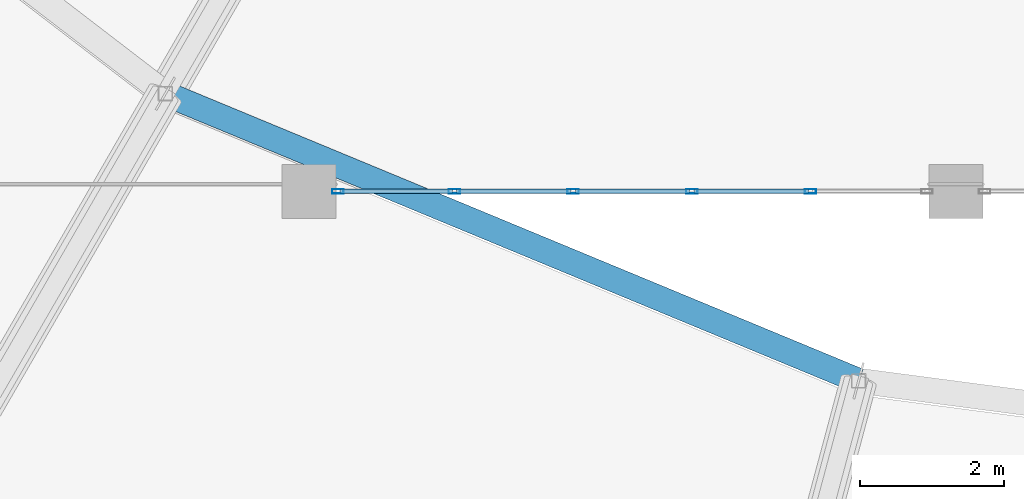
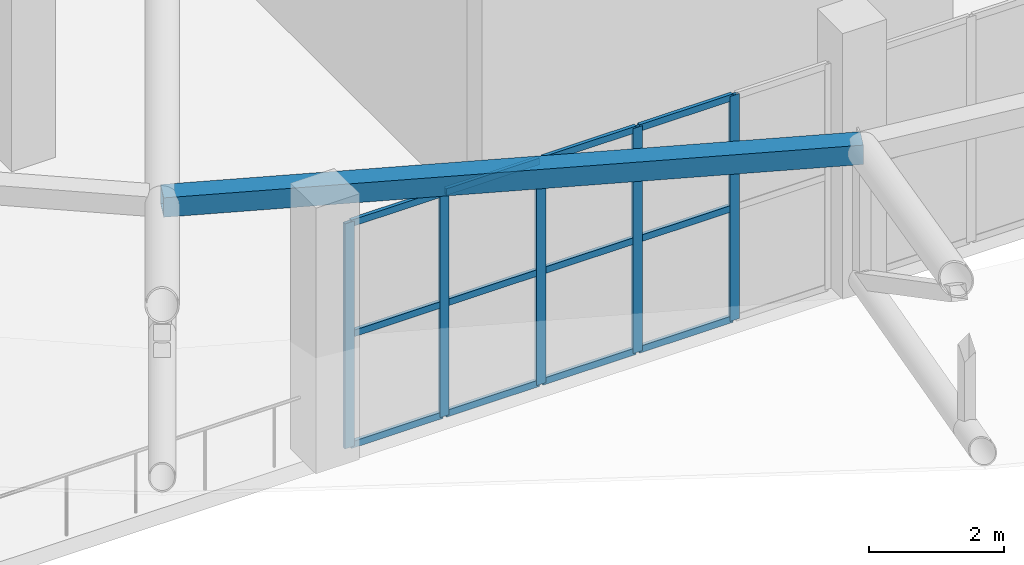
# One storey, part 24 of 167: 18 members, 1 element without a shape of its own.
"""IFC4 building model written with IfcOpenShell, lengths in metres."""

from ifc_helpers import new_model, si_unit, direction, frame, origin, origin_2d, place, context, subcontext, project, spatial, hollow_rectangle, extrude, material, layer, layer_set, material_profile, profile_set, type_object, element, aggregate, save


model = new_model("IFC4")

# Units and contexts
model_context = context("Model", 3, precision=1e-05, world=origin(), true_north=direction((0.0, 1.0)))
body_context = subcontext(model_context, "Body", "Model", "MODEL_VIEW")
ifc_project = project(units=[si_unit("LENGTHUNIT", "METRE"), si_unit("AREAUNIT", "SQUARE_METRE"), si_unit("VOLUMEUNIT", "CUBIC_METRE"), si_unit("PLANEANGLEUNIT", "RADIAN"), si_unit("MASSUNIT", "GRAM", prefix="KILO")], contexts=[model_context])

# Site, building, storey
site_placement = place(None, origin())
site = spatial("IfcSite", under=ifc_project, at=site_placement, CompositionType="ELEMENT")
building_placement = place(site_placement, origin())
building = spatial("IfcBuilding", under=site, at=building_placement, Name="Dornveld Trade and Exhibition Forum", CompositionType="ELEMENT")
storey_placement = place(building_placement, frame((0.0, 0.0, 16.800048828125)))
storey = spatial("IfcBuildingStorey", under=building, at=storey_placement, Name="L03", CompositionType="ELEMENT", Elevation=16.800048828125)

# Curtain wall, members
ifc_material_1 = material(Name="Dark-bronze anodised aluminium and low-E glass", Category="aluminium")
ifc_layer = layer(ifc_material_1, 0.193115234375)
ifc_layer_set = layer_set([ifc_layer], Name="Dark-bronze anodised aluminium and low-E glass")
curtain_wall_type = type_object("IfcCurtainWallType", Name="CW-SYS-17", PredefinedType="USERDEFINED", material=ifc_layer_set)
curtain_wall_placement = place(storey_placement, origin())
curtain_wall = element("IfcCurtainWall", 1, at=curtain_wall_placement, inside=storey, type_object=curtain_wall_type, Name="L03 unitised curtain wall 53", ObjectType="UNITISED_CURTAIN_WALL", PredefinedType="USERDEFINED")
ifc_material_2 = material(Name="Dark-bronze anodised aluminium", Category="aluminium")
ifc_material_profile_1 = material_profile(ifc_material_2, hollow_rectangle(XDim=0.06005859375, YDim=0.159912109375, WallThickness=0.00390625, at=origin_2d()), Name="RHS 160x60x4")
ifc_profile_set_1 = profile_set([ifc_material_profile_1], Name="Dark-bronze anodised aluminium")
member_type_1 = type_object("IfcMemberType", Name="CW-MUL-160", PredefinedType="MULLION", material=ifc_profile_set_1)
member_1_placement = place(storey_placement, frame((99.40087890625, 45.0, -0.004150390625), z_axis=(0.0, 0.0, 1.0), x_axis=(0.0, 1.0, 0.0)))
member_1 = element("IfcMember", 2, at=member_1_placement, type_object=member_type_1, Name="CW-17 mullion 1", PredefinedType="MULLION", context=body_context, shape_type="SweptSolid", body=[
    extrude(hollow_rectangle(XDim=0.06005859375, YDim=0.159912109375, WallThickness=0.00390625, at=origin_2d()), origin(), (0.0, 0.0, 1.0), 4.064208984375),
])
member_2_placement = place(storey_placement, frame((101.022705078125, 45.0, -0.004150390625), z_axis=(0.0, 0.0, 1.0), x_axis=(0.0, 1.0, 0.0)))
member_2 = element("IfcMember", 3, at=member_2_placement, type_object=member_type_1, Name="CW-17 mullion 2", PredefinedType="MULLION", context=body_context, shape_type="SweptSolid", body=[
    extrude(hollow_rectangle(XDim=0.06005859375, YDim=0.159912109375, WallThickness=0.00390625, at=origin_2d()), origin(), (0.0, 0.0, 1.0), 4.064208984375),
])
member_3_placement = place(storey_placement, frame((102.67431640625, 45.0, -0.004150390625), z_axis=(0.0, 0.0, 1.0), x_axis=(0.0, 1.0, 0.0)))
member_3 = element("IfcMember", 4, at=member_3_placement, type_object=member_type_1, Name="CW-17 mullion 3", PredefinedType="MULLION", context=body_context, shape_type="SweptSolid", body=[
    extrude(hollow_rectangle(XDim=0.06005859375, YDim=0.159912109375, WallThickness=0.00390625, at=origin_2d()), origin(), (0.0, 0.0, 1.0), 4.064208984375),
])
member_4_placement = place(storey_placement, frame((104.32568359375, 45.0, -0.004150390625), z_axis=(0.0, 0.0, 1.0), x_axis=(0.0, 1.0, 0.0)))
member_4 = element("IfcMember", 5, at=member_4_placement, type_object=member_type_1, Name="CW-17 mullion 4", PredefinedType="MULLION", context=body_context, shape_type="SweptSolid", body=[
    extrude(hollow_rectangle(XDim=0.06005859375, YDim=0.159912109375, WallThickness=0.00390625, at=origin_2d()), origin(), (0.0, 0.0, 1.0), 4.064208984375),
])
member_5_placement = place(storey_placement, frame((105.977294921875, 45.0, -0.004150390625), z_axis=(0.0, 0.0, 1.0), x_axis=(0.0, 1.0, 0.0)))
member_5 = element("IfcMember", 6, at=member_5_placement, type_object=member_type_1, Name="CW-17 mullion 5", PredefinedType="MULLION", context=body_context, shape_type="SweptSolid", body=[
    extrude(hollow_rectangle(XDim=0.06005859375, YDim=0.159912109375, WallThickness=0.00390625, at=origin_2d()), origin(), (0.0, 0.0, 1.0), 4.064208984375),
])
ifc_material_3 = material(Name="Dark-bronze anodised aluminium", Category="aluminium")
ifc_material_profile_2 = material_profile(ifc_material_3, hollow_rectangle(XDim=0.06005859375, YDim=0.1201171875, WallThickness=0.00390625, at=origin_2d()), Name="RHS 120x60x4")
ifc_profile_set_2 = profile_set([ifc_material_profile_2], Name="Dark-bronze anodised aluminium")
member_type_2 = type_object("IfcMemberType", Name="CW-TRN-120", PredefinedType="USERDEFINED", material=ifc_profile_set_2)
member_6_placement = place(storey_placement, frame((99.430908203125, 45.0, 0.02587890625), z_axis=(1.0, 0.0, 0.0), x_axis=(0.0, 1.0, 0.0)))
member_6 = element("IfcMember", 7, at=member_6_placement, type_object=member_type_2, Name="CW-17 transom 1.1", ObjectType="TRANSOM", PredefinedType="USERDEFINED", context=body_context, shape_type="SweptSolid", body=[
    extrude(hollow_rectangle(XDim=0.06005859375, YDim=0.1201171875, WallThickness=0.00390625, at=origin_2d()), origin(), (0.0, 0.0, 1.0), 1.561767578125),
])
member_7_placement = place(storey_placement, frame((99.430908203125, 45.0, 2.02783203125), z_axis=(1.0, 0.0, 0.0), x_axis=(0.0, 1.0, 0.0)))
member_7 = element("IfcMember", 8, at=member_7_placement, type_object=member_type_2, Name="CW-17 transom 1.2", ObjectType="TRANSOM", PredefinedType="USERDEFINED", context=body_context, shape_type="SweptSolid", body=[
    extrude(hollow_rectangle(XDim=0.06005859375, YDim=0.1201171875, WallThickness=0.00390625, at=origin_2d()), origin(), (0.0, 0.0, 1.0), 1.561767578125),
])
member_8_placement = place(storey_placement, frame((99.430908203125, 45.0, 4.030029296875), z_axis=(1.0, 0.0, 0.0), x_axis=(0.0, 1.0, 0.0)))
member_8 = element("IfcMember", 9, at=member_8_placement, type_object=member_type_2, Name="CW-17 transom 1.3", ObjectType="TRANSOM", PredefinedType="USERDEFINED", context=body_context, shape_type="SweptSolid", body=[
    extrude(hollow_rectangle(XDim=0.06005859375, YDim=0.1201171875, WallThickness=0.00390625, at=origin_2d()), origin(), (0.0, 0.0, 1.0), 1.561767578125),
])
member_9_placement = place(storey_placement, frame((101.052490234375, 45.0, 0.02587890625), z_axis=(1.0, 0.0, 0.0), x_axis=(0.0, 1.0, 0.0)))
member_9 = element("IfcMember", 10, at=member_9_placement, type_object=member_type_2, Name="CW-17 transom 2.1", ObjectType="TRANSOM", PredefinedType="USERDEFINED", context=body_context, shape_type="SweptSolid", body=[
    extrude(hollow_rectangle(XDim=0.06005859375, YDim=0.1201171875, WallThickness=0.00390625, at=origin_2d()), origin(), (0.0, 0.0, 1.0), 1.591796875),
])
member_10_placement = place(storey_placement, frame((101.052490234375, 45.0, 2.02783203125), z_axis=(1.0, 0.0, 0.0), x_axis=(0.0, 1.0, 0.0)))
member_10 = element("IfcMember", 11, at=member_10_placement, type_object=member_type_2, Name="CW-17 transom 2.2", ObjectType="TRANSOM", PredefinedType="USERDEFINED", context=body_context, shape_type="SweptSolid", body=[
    extrude(hollow_rectangle(XDim=0.06005859375, YDim=0.1201171875, WallThickness=0.00390625, at=origin_2d()), origin(), (0.0, 0.0, 1.0), 1.591796875),
])
member_11_placement = place(storey_placement, frame((101.052490234375, 45.0, 4.030029296875), z_axis=(1.0, 0.0, 0.0), x_axis=(0.0, 1.0, 0.0)))
member_11 = element("IfcMember", 12, at=member_11_placement, type_object=member_type_2, Name="CW-17 transom 2.3", ObjectType="TRANSOM", PredefinedType="USERDEFINED", context=body_context, shape_type="SweptSolid", body=[
    extrude(hollow_rectangle(XDim=0.06005859375, YDim=0.1201171875, WallThickness=0.00390625, at=origin_2d()), origin(), (0.0, 0.0, 1.0), 1.591796875),
])
member_12_placement = place(storey_placement, frame((102.7041015625, 45.0, 0.02587890625), z_axis=(1.0, 0.0, 0.0), x_axis=(0.0, 1.0, 0.0)))
member_12 = element("IfcMember", 13, at=member_12_placement, type_object=member_type_2, Name="CW-17 transom 3.1", ObjectType="TRANSOM", PredefinedType="USERDEFINED", context=body_context, shape_type="SweptSolid", body=[
    extrude(hollow_rectangle(XDim=0.06005859375, YDim=0.1201171875, WallThickness=0.00390625, at=origin_2d()), origin(), (0.0, 0.0, 1.0), 1.591796875),
])
member_13_placement = place(storey_placement, frame((102.7041015625, 45.0, 2.02783203125), z_axis=(1.0, 0.0, 0.0), x_axis=(0.0, 1.0, 0.0)))
member_13 = element("IfcMember", 14, at=member_13_placement, type_object=member_type_2, Name="CW-17 transom 3.2", ObjectType="TRANSOM", PredefinedType="USERDEFINED", context=body_context, shape_type="SweptSolid", body=[
    extrude(hollow_rectangle(XDim=0.06005859375, YDim=0.1201171875, WallThickness=0.00390625, at=origin_2d()), origin(), (0.0, 0.0, 1.0), 1.591796875),
])
member_14_placement = place(storey_placement, frame((102.7041015625, 45.0, 4.030029296875), z_axis=(1.0, 0.0, 0.0), x_axis=(0.0, 1.0, 0.0)))
member_14 = element("IfcMember", 15, at=member_14_placement, type_object=member_type_2, Name="CW-17 transom 3.3", ObjectType="TRANSOM", PredefinedType="USERDEFINED", context=body_context, shape_type="SweptSolid", body=[
    extrude(hollow_rectangle(XDim=0.06005859375, YDim=0.1201171875, WallThickness=0.00390625, at=origin_2d()), origin(), (0.0, 0.0, 1.0), 1.591796875),
])
member_15_placement = place(storey_placement, frame((104.355712890625, 45.0, 0.02587890625), z_axis=(1.0, 0.0, 0.0), x_axis=(0.0, 1.0, 0.0)))
member_15 = element("IfcMember", 16, at=member_15_placement, type_object=member_type_2, Name="CW-17 transom 4.1", ObjectType="TRANSOM", PredefinedType="USERDEFINED", context=body_context, shape_type="SweptSolid", body=[
    extrude(hollow_rectangle(XDim=0.06005859375, YDim=0.1201171875, WallThickness=0.00390625, at=origin_2d()), origin(), (0.0, 0.0, 1.0), 1.591796875),
])
member_16_placement = place(storey_placement, frame((104.355712890625, 45.0, 2.02783203125), z_axis=(1.0, 0.0, 0.0), x_axis=(0.0, 1.0, 0.0)))
member_16 = element("IfcMember", 17, at=member_16_placement, type_object=member_type_2, Name="CW-17 transom 4.2", ObjectType="TRANSOM", PredefinedType="USERDEFINED", context=body_context, shape_type="SweptSolid", body=[
    extrude(hollow_rectangle(XDim=0.06005859375, YDim=0.1201171875, WallThickness=0.00390625, at=origin_2d()), origin(), (0.0, 0.0, 1.0), 1.591796875),
])
member_17_placement = place(storey_placement, frame((104.355712890625, 45.0, 4.030029296875), z_axis=(1.0, 0.0, 0.0), x_axis=(0.0, 1.0, 0.0)))
member_17 = element("IfcMember", 18, at=member_17_placement, type_object=member_type_2, Name="CW-17 transom 4.3", ObjectType="TRANSOM", PredefinedType="USERDEFINED", context=body_context, shape_type="SweptSolid", body=[
    extrude(hollow_rectangle(XDim=0.06005859375, YDim=0.1201171875, WallThickness=0.00390625, at=origin_2d()), origin(), (0.0, 0.0, 1.0), 1.591796875),
])
aggregate(curtain_wall, [member_1, member_2, member_3, member_4, member_5, member_6, member_7, member_8, member_9, member_10, member_11, member_12, member_13, member_14, member_15, member_16, member_17])

# Member
ifc_material_4 = material(Name="Steel S355J2", Category="steel")
ifc_material_profile_3 = material_profile(ifc_material_4, hollow_rectangle(XDim=0.35009765625, YDim=0.35009765625, WallThickness=0.01611328125, at=origin_2d()), Name="SHS 350x350x16")
ifc_profile_set_3 = profile_set([ifc_material_profile_3], Name="Steel S355J2")
member_type_3 = type_object("IfcMemberType", Name="MEM-DISC-RING", PredefinedType="CHORD", material=ifc_profile_set_3)
member_18_placement = place(storey_placement, frame((97.0, 46.35888671875, 4.449951171875), z_axis=(0.923884896561, -0.382670482146, 0.0), x_axis=(0.382670482146, 0.923884896561, 0.0)))
element("IfcMember", 19, at=member_18_placement, inside=storey, type_object=member_type_3, Name="Roof disc ring 3 chord 17", PredefinedType="CHORD", context=body_context, shape_type="SweptSolid", body=[
    extrude(hollow_rectangle(XDim=0.35009765625, YDim=0.35009765625, WallThickness=0.01611328125, at=origin_2d()), origin(), (0.0, 0.0, 1.0), 10.44189453125),
])

save(model, "model.ifc")
